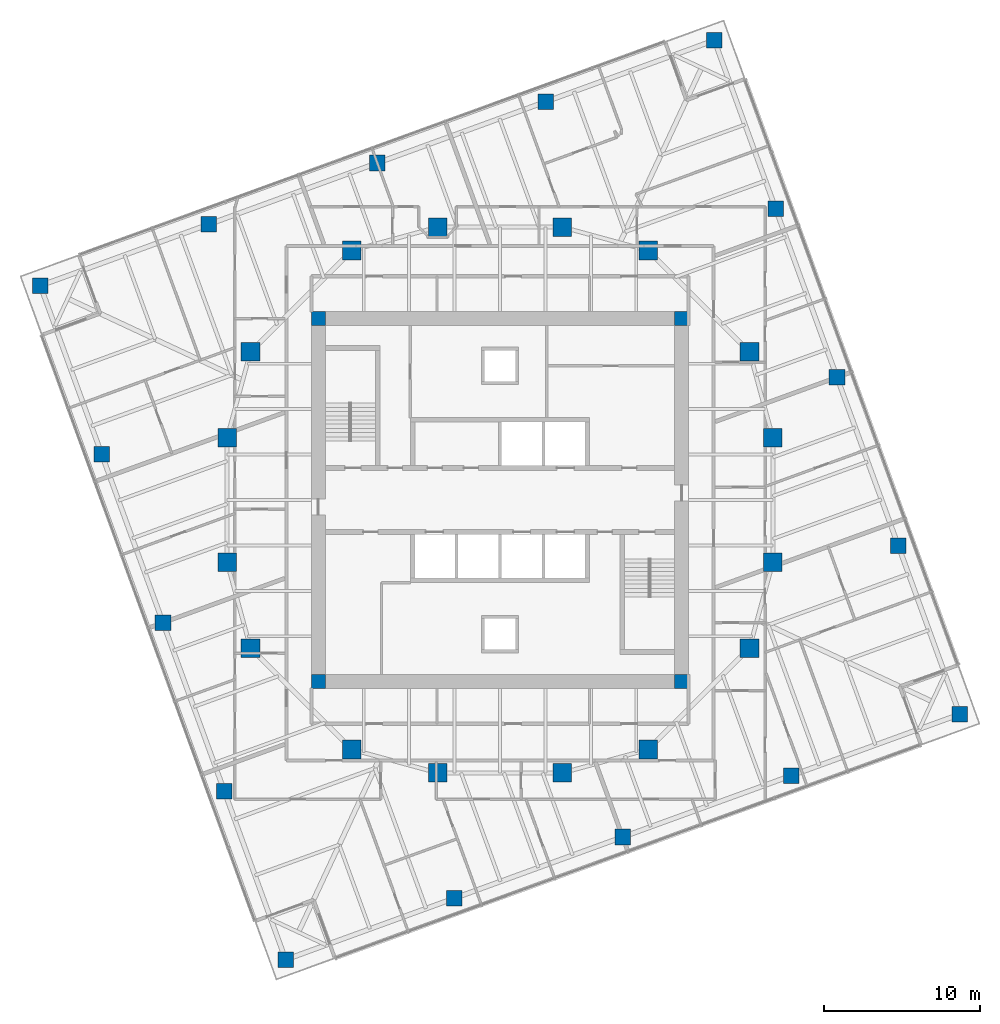
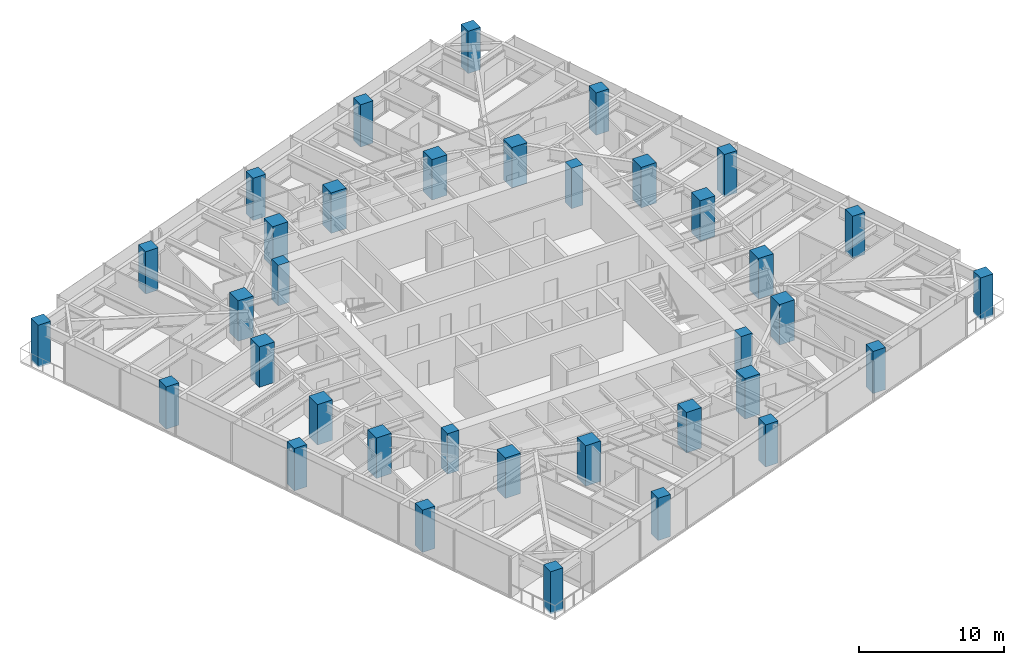
# One storey, part 1 of 13: 36 columns.
"""IFC4 building model written with IfcOpenShell, lengths in metres."""

from ifc_helpers import new_model, si_unit, direction, frame, origin, origin_2d, place, context, subcontext, project, spatial, rectangle, extrude, material, material_profile, profile_set, type_object, element, save


model = new_model("IFC4")

# Units and contexts
model_context = context("Model", 3, precision=1e-05, world=origin(), true_north=direction((0.0, 1.0)))
body_context = subcontext(model_context, "Body", "Model", "MODEL_VIEW")
ifc_project = project(units=[si_unit("LENGTHUNIT", "METRE"), si_unit("AREAUNIT", "SQUARE_METRE"), si_unit("VOLUMEUNIT", "CUBIC_METRE"), si_unit("PLANEANGLEUNIT", "RADIAN"), si_unit("MASSUNIT", "GRAM", prefix="KILO")], contexts=[model_context])

# Site, building, storey
site_placement = place(None, origin())
site = spatial("IfcSite", under=ifc_project, at=site_placement, CompositionType="ELEMENT")
building_placement = place(site_placement, origin())
building = spatial("IfcBuilding", under=site, at=building_placement, Name="Torsade Residences", CompositionType="ELEMENT")
storey_placement = place(building_placement, frame((0.0, 0.0, 143.800048828125)))
storey = spatial("IfcBuildingStorey", under=building, at=storey_placement, Name="L39", CompositionType="ELEMENT", Elevation=143.800048828125)

# Columns
ifc_material_1 = material(Name="Concrete 80 MPa", Category="concrete")
ifc_material_profile_1 = material_profile(ifc_material_1, rectangle(XDim=0.89990234375, YDim=0.89990234375, at=origin_2d()), Name="RC 900x900")
ifc_profile_set_1 = profile_set([ifc_material_profile_1], Name="Concrete 80 MPa")
column_type_1 = type_object("IfcColumnType", Name="CORE CORNER COLUMN RC 900x900", PredefinedType="COLUMN", material=ifc_profile_set_1)
for number, where, z_axis, x_axis, name in (
    (1, (28.35009765625, 18.35009765625, 0.0), (0.0, 0.0, 1.0), (1.0, 0.0, 0.0), "Core corner column CC1 L39"),
    (2, (51.64990234375, 18.35009765625, 0.0), (0.0, 0.0, 1.0), (1.0, 0.0, 0.0), "Core corner column CC2 L39"),
    (3, (51.64990234375, 41.64990234375, 0.0), (0.0, 0.0, 1.0), (1.0, 0.0, 0.0), "Core corner column CC3 L39"),
    (4, (28.35009765625, 41.64990234375, 0.0), (0.0, 0.0, 1.0), (1.0, 0.0, 0.0), "Core corner column CC4 L39"),
):
    element("IfcColumn", number, at=place(storey_placement, frame(where, z_axis=z_axis, x_axis=x_axis)), inside=storey, type_object=column_type_1, Name=name, PredefinedType="COLUMN", context=body_context, shape_type="SweptSolid", body=[
        extrude(rectangle(XDim=0.89990234375, YDim=0.89990234375, at=origin_2d()), origin(), (0.0, 0.0, 1.0), 3.39990234375),
    ])
ifc_material_2 = material(Name="Concrete 80 MPa", Category="concrete")
ifc_material_profile_2 = material_profile(ifc_material_2, rectangle(XDim=1.199951171875, YDim=1.199951171875, at=origin_2d()), Name="RC 1200x1200")
ifc_profile_set_2 = profile_set([ifc_material_profile_2], Name="Concrete 80 MPa")
column_type_2 = type_object("IfcColumnType", Name="INNER RING COLUMN RC 1200x1200", PredefinedType="COLUMN", material=ifc_profile_set_2)
for number, where, z_axis, x_axis, name in (
    (5, (57.5, 26.0, 0.0), (0.0, 0.0, 1.0), (1.0, 0.0, 0.0), "Inner ring column IR01 L39"),
    (6, (57.5, 34.0, 0.0), (0.0, 0.0, 1.0), (1.0, 0.0, 0.0), "Inner ring column IR02 L39"),
    (7, (56.0, 39.5, 0.0), (0.0, 0.0, 1.0), (1.0, 0.0, 0.0), "Inner ring column IR03 L39"),
    (8, (49.5, 46.0, 0.0), (0.0, 0.0, 1.0), (1.0, 0.0, 0.0), "Inner ring column IR04 L39"),
    (9, (44.0, 47.5, 0.0), (0.0, 0.0, 1.0), (1.0, 0.0, 0.0), "Inner ring column IR05 L39"),
    (10, (36.0, 47.5, 0.0), (0.0, 0.0, 1.0), (1.0, 0.0, 0.0), "Inner ring column IR06 L39"),
    (11, (30.5, 46.0, 0.0), (0.0, 0.0, 1.0), (1.0, 0.0, 0.0), "Inner ring column IR07 L39"),
    (12, (24.0, 39.5, 0.0), (0.0, 0.0, 1.0), (1.0, 0.0, 0.0), "Inner ring column IR08 L39"),
    (13, (22.5, 34.0, 0.0), (0.0, 0.0, 1.0), (1.0, 0.0, 0.0), "Inner ring column IR09 L39"),
    (14, (22.5, 26.0, 0.0), (0.0, 0.0, 1.0), (1.0, 0.0, 0.0), "Inner ring column IR10 L39"),
    (15, (24.0, 20.5, 0.0), (0.0, 0.0, 1.0), (1.0, 0.0, 0.0), "Inner ring column IR11 L39"),
    (16, (30.5, 14.0, 0.0), (0.0, 0.0, 1.0), (1.0, 0.0, 0.0), "Inner ring column IR12 L39"),
    (17, (36.0, 12.5, 0.0), (0.0, 0.0, 1.0), (1.0, 0.0, 0.0), "Inner ring column IR13 L39"),
    (18, (44.0, 12.5, 0.0), (0.0, 0.0, 1.0), (1.0, 0.0, 0.0), "Inner ring column IR14 L39"),
    (19, (49.5, 14.0, 0.0), (0.0, 0.0, 1.0), (1.0, 0.0, 0.0), "Inner ring column IR15 L39"),
    (20, (56.0, 20.5, 0.0), (0.0, 0.0, 1.0), (1.0, 0.0, 0.0), "Inner ring column IR16 L39"),
):
    element("IfcColumn", number, at=place(storey_placement, frame(where, z_axis=z_axis, x_axis=x_axis)), inside=storey, type_object=column_type_2, Name=name, PredefinedType="COLUMN", context=body_context, shape_type="SweptSolid", body=[
        extrude(rectangle(XDim=1.199951171875, YDim=1.199951171875, at=origin_2d()), origin(), (0.0, 0.0, 1.0), 3.39990234375),
    ])
ifc_material_3 = material(Name="Concrete 80 MPa", Category="concrete")
ifc_material_profile_3 = material_profile(ifc_material_3, rectangle(XDim=1.0, YDim=1.0, at=origin_2d()), Name="RC 1000x1000")
ifc_profile_set_3 = profile_set([ifc_material_profile_3], Name="Concrete 80 MPa")
column_type_3 = type_object("IfcColumnType", Name="TOWER COLUMN RC 1000x1000", PredefinedType="COLUMN", material=ifc_profile_set_3)
for number, where, z_axis, x_axis, name in (
    (21, (26.25341796875, 0.5205078125, -0.150146484375), (0.0, 0.0, 1.0), (1.0, 0.0, 0.0), "Column TC5-01 L39"),
    (22, (37.06005859375, 4.453857421875, -0.150146484375), (0.0, 0.0, 1.0), (1.0, 0.0, 0.0), "Column TC5-02 L39"),
    (23, (47.866455078125, 8.386962890625, -0.150146484375), (0.0, 0.0, 1.0), (1.0, 0.0, 0.0), "Column TC5-03 L39"),
    (24, (58.6728515625, 12.3203125, -0.150146484375), (0.0, 0.0, 1.0), (1.0, 0.0, 0.0), "Column TC5-04 L39"),
    (25, (69.4794921875, 16.25341796875, -0.150146484375), (0.0, 0.0, 1.0), (1.0, 0.0, 0.0), "Column TC5-05 L39"),
    (26, (65.546142578125, 27.06005859375, -0.150146484375), (0.0, 0.0, 1.0), (1.0, 0.0, 0.0), "Column TC5-06 L39"),
    (27, (61.613037109375, 37.866455078125, -0.150146484375), (0.0, 0.0, 1.0), (1.0, 0.0, 0.0), "Column TC5-07 L39"),
    (28, (57.6796875, 48.6728515625, -0.150146484375), (0.0, 0.0, 1.0), (1.0, 0.0, 0.0), "Column TC5-08 L39"),
    (29, (53.74658203125, 59.4794921875, -0.150146484375), (0.0, 0.0, 1.0), (1.0, 0.0, 0.0), "Column TC5-09 L39"),
    (30, (42.93994140625, 55.546142578125, -0.150146484375), (0.0, 0.0, 1.0), (1.0, 0.0, 0.0), "Column TC5-10 L39"),
    (31, (32.133544921875, 51.613037109375, -0.150146484375), (0.0, 0.0, 1.0), (1.0, 0.0, 0.0), "Column TC5-11 L39"),
    (32, (21.3271484375, 47.6796875, -0.150146484375), (0.0, 0.0, 1.0), (1.0, 0.0, 0.0), "Column TC5-12 L39"),
    (33, (10.5205078125, 43.74658203125, -0.150146484375), (0.0, 0.0, 1.0), (1.0, 0.0, 0.0), "Column TC5-13 L39"),
    (34, (14.453857421875, 32.93994140625, -0.150146484375), (0.0, 0.0, 1.0), (1.0, 0.0, 0.0), "Column TC5-14 L39"),
    (35, (18.386962890625, 22.133544921875, -0.150146484375), (0.0, 0.0, 1.0), (1.0, 0.0, 0.0), "Column TC5-15 L39"),
    (36, (22.3203125, 11.3271484375, -0.150146484375), (0.0, 0.0, 1.0), (1.0, 0.0, 0.0), "Column TC5-16 L39"),
):
    element("IfcColumn", number, at=place(storey_placement, frame(where, z_axis=z_axis, x_axis=x_axis)), inside=storey, type_object=column_type_3, Name=name, PredefinedType="COLUMN", context=body_context, shape_type="SweptSolid", body=[
        extrude(rectangle(XDim=1.0, YDim=1.0, at=origin_2d()), origin(), (0.0, 0.0, 1.0), 3.550048828125),
    ])

save(model, "model.ifc")
